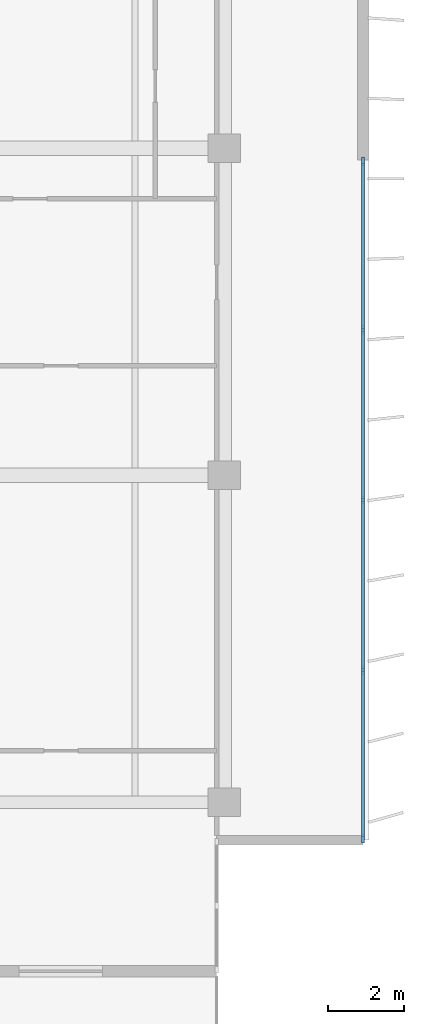
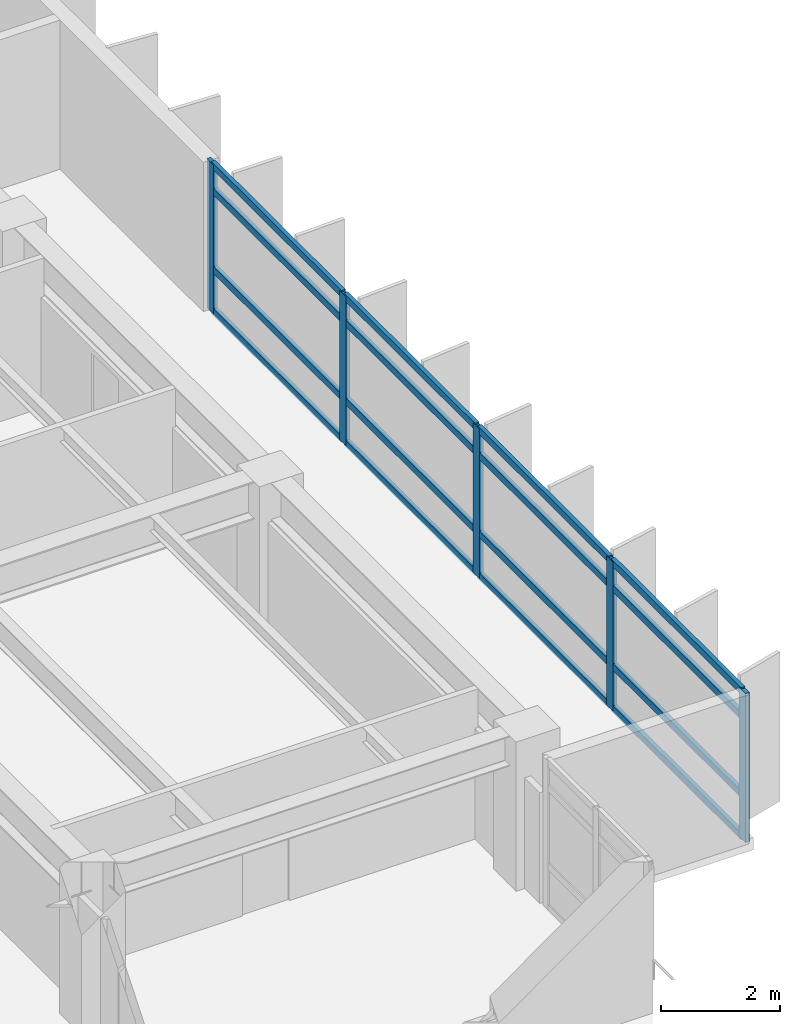
# One storey, part 6 of 17: 21 members, 1 element without a shape of its own.
"""IFC4 building model written with IfcOpenShell, lengths in metres."""

from ifc_helpers import new_model, si_unit, direction, frame, origin, origin_2d, place, context, subcontext, project, spatial, rectangle, extrude, material, layer, layer_set, material_profile, profile_set, type_object, element, aggregate, save


model = new_model("IFC4")

# Units and contexts
model_context = context("Model", 3, precision=1e-05, world=origin(), true_north=direction((0.0, 1.0)))
body_context = subcontext(model_context, "Body", "Model", "MODEL_VIEW")
ifc_project = project(units=[si_unit("LENGTHUNIT", "METRE"), si_unit("AREAUNIT", "SQUARE_METRE"), si_unit("VOLUMEUNIT", "CUBIC_METRE"), si_unit("PLANEANGLEUNIT", "RADIAN"), si_unit("MASSUNIT", "GRAM", prefix="KILO")], contexts=[model_context])

# Site, building, storey
site_placement = place(None, origin())
site = spatial("IfcSite", under=ifc_project, at=site_placement, CompositionType="ELEMENT")
building_placement = place(site_placement, origin())
building = spatial("IfcBuilding", under=site, at=building_placement, Name="Caelmar Bay Residences", CompositionType="ELEMENT")
storey_placement = place(building_placement, frame((0.0, 0.0, 208.199951171875)))
storey = spatial("IfcBuildingStorey", under=building, at=storey_placement, Name="L58", CompositionType="ELEMENT", Elevation=208.199951171875)

# Curtain wall, members
ifc_material_1 = material(Name="Anodised bronze aluminium 6063-T6 and laminated glass", Category="aluminium")
ifc_layer = layer(ifc_material_1, 0.179931640625)
ifc_layer_set = layer_set([ifc_layer], Name="Anodised bronze aluminium 6063-T6 and laminated glass")
curtain_wall_type = type_object("IfcCurtainWallType", Name="CW4-Z3", PredefinedType="NOTDEFINED", material=ifc_layer_set)
curtain_wall_placement = place(storey_placement, origin())
curtain_wall = element("IfcCurtainWall", 1, at=curtain_wall_placement, inside=storey, type_object=curtain_wall_type, Name="CW4 curtain wall L58", PredefinedType="NOTDEFINED")
ifc_material_2 = material(Name="Anodised bronze aluminium 6063-T6", Category="aluminium")
ifc_material_profile_1 = material_profile(ifc_material_2, rectangle(XDim=0.080078125, YDim=0.219970703125, at=origin_2d()), Name="CWM-80X220")
ifc_profile_set_1 = profile_set([ifc_material_profile_1], Name="Anodised bronze aluminium 6063-T6")
member_type_1 = type_object("IfcMemberType", Name="CWM-220", PredefinedType="MULLION", material=ifc_profile_set_1)
member_1_placement = place(storey_placement, frame((71.550048828125, 29.06005859375, 0.0), z_axis=(0.0, 0.0, 1.0), x_axis=(1.0, 0.0, 0.0)))
member_1 = element("IfcMember", 2, at=member_1_placement, type_object=member_type_1, Name="CW4 mullion 1", PredefinedType="MULLION", context=body_context, shape_type="SweptSolid", body=[
    extrude(rectangle(XDim=0.080078125, YDim=0.219970703125, at=origin_2d()), origin(), (0.0, 0.0, 1.0), 3.050048828125),
])
member_2_placement = place(storey_placement, frame((71.550048828125, 24.625, 0.0), z_axis=(0.0, 0.0, 1.0), x_axis=(1.0, 0.0, 0.0)))
member_2 = element("IfcMember", 3, at=member_2_placement, type_object=member_type_1, Name="CW4 mullion 2", PredefinedType="MULLION", context=body_context, shape_type="SweptSolid", body=[
    extrude(rectangle(XDim=0.080078125, YDim=0.219970703125, at=origin_2d()), origin(), (0.0, 0.0, 1.0), 3.050048828125),
])
member_3_placement = place(storey_placement, frame((71.550048828125, 20.14990234375, 0.0), z_axis=(0.0, 0.0, 1.0), x_axis=(1.0, 0.0, 0.0)))
member_3 = element("IfcMember", 4, at=member_3_placement, type_object=member_type_1, Name="CW4 mullion 3", PredefinedType="MULLION", context=body_context, shape_type="SweptSolid", body=[
    extrude(rectangle(XDim=0.080078125, YDim=0.219970703125, at=origin_2d()), origin(), (0.0, 0.0, 1.0), 3.050048828125),
])
member_4_placement = place(storey_placement, frame((71.550048828125, 15.675048828125, 0.0), z_axis=(0.0, 0.0, 1.0), x_axis=(1.0, 0.0, 0.0)))
member_4 = element("IfcMember", 5, at=member_4_placement, type_object=member_type_1, Name="CW4 mullion 4", PredefinedType="MULLION", context=body_context, shape_type="SweptSolid", body=[
    extrude(rectangle(XDim=0.080078125, YDim=0.219970703125, at=origin_2d()), origin(), (0.0, 0.0, 1.0), 3.050048828125),
])
member_5_placement = place(storey_placement, frame((71.550048828125, 11.239990234375, 0.0), z_axis=(0.0, 0.0, 1.0), x_axis=(1.0, 0.0, 0.0)))
member_5 = element("IfcMember", 6, at=member_5_placement, type_object=member_type_1, Name="CW4 mullion 5", PredefinedType="MULLION", context=body_context, shape_type="SweptSolid", body=[
    extrude(rectangle(XDim=0.080078125, YDim=0.219970703125, at=origin_2d()), origin(), (0.0, 0.0, 1.0), 3.050048828125),
])
ifc_material_profile_2 = material_profile(ifc_material_2, rectangle(XDim=0.080078125, YDim=0.139892578125, at=origin_2d()), Name="CWT-80X140")
ifc_profile_set_2 = profile_set([ifc_material_profile_2], Name="Anodised bronze aluminium 6063-T6")
member_type_2 = type_object("IfcMemberType", Name="CWT-140", PredefinedType="NOTDEFINED", material=ifc_profile_set_2)
member_6_placement = place(storey_placement, frame((71.550048828125, 29.02001953125, 0.0400390625), z_axis=(0.0, -1.0, 0.0), x_axis=(1.0, 0.0, 0.0)))
member_6 = element("IfcMember", 7, at=member_6_placement, type_object=member_type_2, Name="CW4 transom 1.1", ObjectType="TRANSOM", PredefinedType="USERDEFINED", context=body_context, shape_type="SweptSolid", body=[
    extrude(rectangle(XDim=0.080078125, YDim=0.139892578125, at=origin_2d()), origin(), (0.0, 0.0, 1.0), 4.35498046875),
])
member_7_placement = place(storey_placement, frame((71.550048828125, 29.02001953125, 0.900146484375), z_axis=(0.0, -1.0, 0.0), x_axis=(1.0, 0.0, 0.0)))
member_7 = element("IfcMember", 8, at=member_7_placement, type_object=member_type_2, Name="CW4 transom 1.2", ObjectType="TRANSOM", PredefinedType="USERDEFINED", context=body_context, shape_type="SweptSolid", body=[
    extrude(rectangle(XDim=0.080078125, YDim=0.139892578125, at=origin_2d()), origin(), (0.0, 0.0, 1.0), 4.35498046875),
])
member_8_placement = place(storey_placement, frame((71.550048828125, 29.02001953125, 2.5), z_axis=(0.0, -1.0, 0.0), x_axis=(1.0, 0.0, 0.0)))
member_8 = element("IfcMember", 9, at=member_8_placement, type_object=member_type_2, Name="CW4 transom 1.3", ObjectType="TRANSOM", PredefinedType="USERDEFINED", context=body_context, shape_type="SweptSolid", body=[
    extrude(rectangle(XDim=0.080078125, YDim=0.139892578125, at=origin_2d()), origin(), (0.0, 0.0, 1.0), 4.35498046875),
])
member_9_placement = place(storey_placement, frame((71.550048828125, 29.02001953125, 3.010009765625), z_axis=(0.0, -1.0, 0.0), x_axis=(1.0, 0.0, 0.0)))
member_9 = element("IfcMember", 10, at=member_9_placement, type_object=member_type_2, Name="CW4 transom 1.4", ObjectType="TRANSOM", PredefinedType="USERDEFINED", context=body_context, shape_type="SweptSolid", body=[
    extrude(rectangle(XDim=0.080078125, YDim=0.139892578125, at=origin_2d()), origin(), (0.0, 0.0, 1.0), 4.35498046875),
])
member_10_placement = place(storey_placement, frame((71.550048828125, 24.5849609375, 0.0400390625), z_axis=(0.0, -1.0, 0.0), x_axis=(1.0, 0.0, 0.0)))
member_10 = element("IfcMember", 11, at=member_10_placement, type_object=member_type_2, Name="CW4 transom 2.1", ObjectType="TRANSOM", PredefinedType="USERDEFINED", context=body_context, shape_type="SweptSolid", body=[
    extrude(rectangle(XDim=0.080078125, YDim=0.139892578125, at=origin_2d()), origin(), (0.0, 0.0, 1.0), 4.39501953125),
])
member_11_placement = place(storey_placement, frame((71.550048828125, 24.5849609375, 0.900146484375), z_axis=(0.0, -1.0, 0.0), x_axis=(1.0, 0.0, 0.0)))
member_11 = element("IfcMember", 12, at=member_11_placement, type_object=member_type_2, Name="CW4 transom 2.2", ObjectType="TRANSOM", PredefinedType="USERDEFINED", context=body_context, shape_type="SweptSolid", body=[
    extrude(rectangle(XDim=0.080078125, YDim=0.139892578125, at=origin_2d()), origin(), (0.0, 0.0, 1.0), 4.39501953125),
])
member_12_placement = place(storey_placement, frame((71.550048828125, 24.5849609375, 2.5), z_axis=(0.0, -1.0, 0.0), x_axis=(1.0, 0.0, 0.0)))
member_12 = element("IfcMember", 13, at=member_12_placement, type_object=member_type_2, Name="CW4 transom 2.3", ObjectType="TRANSOM", PredefinedType="USERDEFINED", context=body_context, shape_type="SweptSolid", body=[
    extrude(rectangle(XDim=0.080078125, YDim=0.139892578125, at=origin_2d()), origin(), (0.0, 0.0, 1.0), 4.39501953125),
])
member_13_placement = place(storey_placement, frame((71.550048828125, 24.5849609375, 3.010009765625), z_axis=(0.0, -1.0, 0.0), x_axis=(1.0, 0.0, 0.0)))
member_13 = element("IfcMember", 14, at=member_13_placement, type_object=member_type_2, Name="CW4 transom 2.4", ObjectType="TRANSOM", PredefinedType="USERDEFINED", context=body_context, shape_type="SweptSolid", body=[
    extrude(rectangle(XDim=0.080078125, YDim=0.139892578125, at=origin_2d()), origin(), (0.0, 0.0, 1.0), 4.39501953125),
])
member_14_placement = place(storey_placement, frame((71.550048828125, 20.110107421875, 0.0400390625), z_axis=(0.0, -1.0, 0.0), x_axis=(1.0, 0.0, 0.0)))
member_14 = element("IfcMember", 15, at=member_14_placement, type_object=member_type_2, Name="CW4 transom 3.1", ObjectType="TRANSOM", PredefinedType="USERDEFINED", context=body_context, shape_type="SweptSolid", body=[
    extrude(rectangle(XDim=0.080078125, YDim=0.139892578125, at=origin_2d()), origin(), (0.0, 0.0, 1.0), 4.39501953125),
])
member_15_placement = place(storey_placement, frame((71.550048828125, 20.110107421875, 0.900146484375), z_axis=(0.0, -1.0, 0.0), x_axis=(1.0, 0.0, 0.0)))
member_15 = element("IfcMember", 16, at=member_15_placement, type_object=member_type_2, Name="CW4 transom 3.2", ObjectType="TRANSOM", PredefinedType="USERDEFINED", context=body_context, shape_type="SweptSolid", body=[
    extrude(rectangle(XDim=0.080078125, YDim=0.139892578125, at=origin_2d()), origin(), (0.0, 0.0, 1.0), 4.39501953125),
])
member_16_placement = place(storey_placement, frame((71.550048828125, 20.110107421875, 2.5), z_axis=(0.0, -1.0, 0.0), x_axis=(1.0, 0.0, 0.0)))
member_16 = element("IfcMember", 17, at=member_16_placement, type_object=member_type_2, Name="CW4 transom 3.3", ObjectType="TRANSOM", PredefinedType="USERDEFINED", context=body_context, shape_type="SweptSolid", body=[
    extrude(rectangle(XDim=0.080078125, YDim=0.139892578125, at=origin_2d()), origin(), (0.0, 0.0, 1.0), 4.39501953125),
])
member_17_placement = place(storey_placement, frame((71.550048828125, 20.110107421875, 3.010009765625), z_axis=(0.0, -1.0, 0.0), x_axis=(1.0, 0.0, 0.0)))
member_17 = element("IfcMember", 18, at=member_17_placement, type_object=member_type_2, Name="CW4 transom 3.4", ObjectType="TRANSOM", PredefinedType="USERDEFINED", context=body_context, shape_type="SweptSolid", body=[
    extrude(rectangle(XDim=0.080078125, YDim=0.139892578125, at=origin_2d()), origin(), (0.0, 0.0, 1.0), 4.39501953125),
])
member_18_placement = place(storey_placement, frame((71.550048828125, 15.635009765625, 0.0400390625), z_axis=(0.0, -1.0, 0.0), x_axis=(1.0, 0.0, 0.0)))
member_18 = element("IfcMember", 19, at=member_18_placement, type_object=member_type_2, Name="CW4 transom 4.1", ObjectType="TRANSOM", PredefinedType="USERDEFINED", context=body_context, shape_type="SweptSolid", body=[
    extrude(rectangle(XDim=0.080078125, YDim=0.139892578125, at=origin_2d()), origin(), (0.0, 0.0, 1.0), 4.35498046875),
])
member_19_placement = place(storey_placement, frame((71.550048828125, 15.635009765625, 0.900146484375), z_axis=(0.0, -1.0, 0.0), x_axis=(1.0, 0.0, 0.0)))
member_19 = element("IfcMember", 20, at=member_19_placement, type_object=member_type_2, Name="CW4 transom 4.2", ObjectType="TRANSOM", PredefinedType="USERDEFINED", context=body_context, shape_type="SweptSolid", body=[
    extrude(rectangle(XDim=0.080078125, YDim=0.139892578125, at=origin_2d()), origin(), (0.0, 0.0, 1.0), 4.35498046875),
])
member_20_placement = place(storey_placement, frame((71.550048828125, 15.635009765625, 2.5), z_axis=(0.0, -1.0, 0.0), x_axis=(1.0, 0.0, 0.0)))
member_20 = element("IfcMember", 21, at=member_20_placement, type_object=member_type_2, Name="CW4 transom 4.3", ObjectType="TRANSOM", PredefinedType="USERDEFINED", context=body_context, shape_type="SweptSolid", body=[
    extrude(rectangle(XDim=0.080078125, YDim=0.139892578125, at=origin_2d()), origin(), (0.0, 0.0, 1.0), 4.35498046875),
])
member_21_placement = place(storey_placement, frame((71.550048828125, 15.635009765625, 3.010009765625), z_axis=(0.0, -1.0, 0.0), x_axis=(1.0, 0.0, 0.0)))
member_21 = element("IfcMember", 22, at=member_21_placement, type_object=member_type_2, Name="CW4 transom 4.4", ObjectType="TRANSOM", PredefinedType="USERDEFINED", context=body_context, shape_type="SweptSolid", body=[
    extrude(rectangle(XDim=0.080078125, YDim=0.139892578125, at=origin_2d()), origin(), (0.0, 0.0, 1.0), 4.35498046875),
])
aggregate(curtain_wall, [member_1, member_2, member_3, member_4, member_5, member_6, member_7, member_8, member_9, member_10, member_11, member_12, member_13, member_14, member_15, member_16, member_17, member_18, member_19, member_20, member_21])

save(model, "model.ifc")
